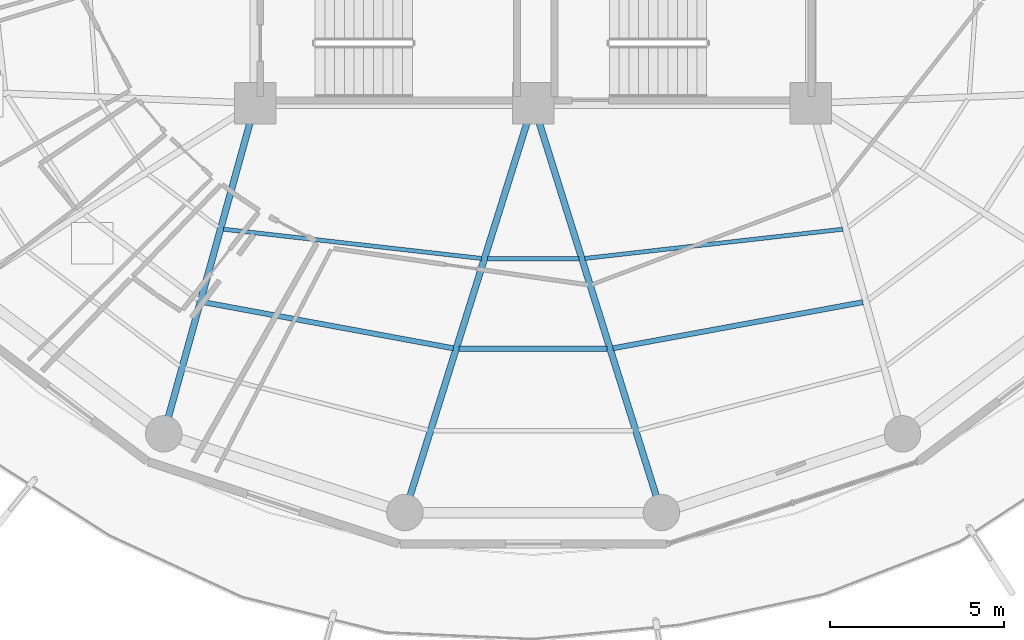
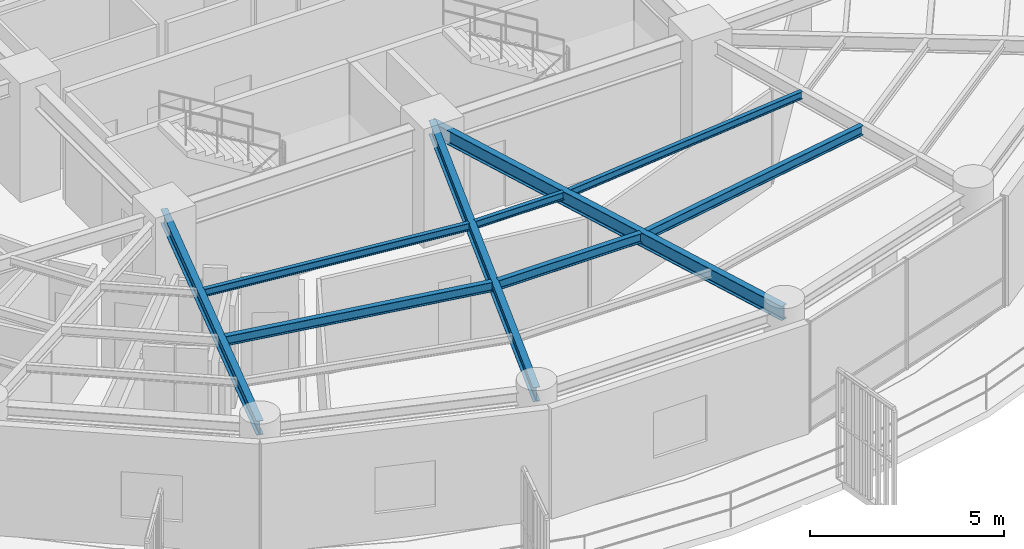
# One storey, part 5 of 31: 9 beams.
"""IFC4 building model written with IfcOpenShell, lengths in metres."""

from ifc_helpers import new_model, si_unit, direction, frame, origin, origin_2d, place, context, subcontext, project, spatial, i_section, extrude, material, material_profile, profile_set, type_object, element, save


model = new_model("IFC4")

# Units and contexts
model_context = context("Model", 3, precision=1e-05, world=origin(), true_north=direction((0.0, 1.0)))
body_context = subcontext(model_context, "Body", "Model", "MODEL_VIEW")
ifc_project = project(units=[si_unit("LENGTHUNIT", "METRE"), si_unit("AREAUNIT", "SQUARE_METRE"), si_unit("VOLUMEUNIT", "CUBIC_METRE"), si_unit("PLANEANGLEUNIT", "RADIAN"), si_unit("MASSUNIT", "GRAM", prefix="KILO")], contexts=[model_context])

# Site, building, storey
site_placement = place(None, origin())
site = spatial("IfcSite", under=ifc_project, at=site_placement, CompositionType="ELEMENT")
building_placement = place(site_placement, origin())
building = spatial("IfcBuilding", under=site, at=building_placement, Name="Kelanora Arch Commons", CompositionType="ELEMENT")
storey_placement = place(building_placement, frame((0.0, 0.0, 196.949951171875)))
storey = spatial("IfcBuildingStorey", under=building, at=storey_placement, Name="L50", CompositionType="ELEMENT", Elevation=196.949951171875)

# Beams
ifc_material = material(Name="Steel S355", Category="steel")
ifc_material_profile_1 = material_profile(ifc_material, i_section(OverallWidth=0.14990234375, OverallDepth=0.300048828125, WebThickness=0.007080078125, FlangeThickness=0.0107421875, FilletRadius=0.014892578125, at=origin_2d()), Name="IPE300")
ifc_profile_set_1 = profile_set([ifc_material_profile_1], Name="Steel S355")
beam_type_1 = type_object("IfcBeamType", Name="BM-JST-01", PredefinedType="JOIST", material=ifc_profile_set_1)
beam_1_placement = place(storey_placement, frame((64.49951171875, 45.270263671875, 3.340087890625), z_axis=(0.983389964671, -0.181505309519, 0.0), x_axis=(0.181505309519, 0.983389964671, 0.0)))
element("IfcBeam", 1, at=beam_1_placement, inside=storey, type_object=beam_type_1, Name="Secondary Chord Joist BJB-24 L50", PredefinedType="JOIST", context=body_context, shape_type="SweptSolid", body=[
    extrude(i_section(OverallWidth=0.14990234375, OverallDepth=0.300048828125, WebThickness=0.007080078125, FlangeThickness=0.0107421875, FilletRadius=0.014892578125, at=origin_2d()), origin(), (0.0, 0.0, 1.0), 7.3212890625),
])
beam_2_placement = place(storey_placement, frame((71.867919921875, 43.92578125, 3.340087890625), z_axis=(1.0, 0.0, 0.0), x_axis=(0.0, 1.0, 0.0)))
element("IfcBeam", 2, at=beam_2_placement, inside=storey, type_object=beam_type_1, Name="Secondary Chord Joist BJB-26 L50", PredefinedType="JOIST", context=body_context, shape_type="SweptSolid", body=[
    extrude(i_section(OverallWidth=0.14990234375, OverallDepth=0.300048828125, WebThickness=0.007080078125, FlangeThickness=0.0107421875, FilletRadius=0.014892578125, at=origin_2d()), origin(), (0.0, 0.0, 1.0), 4.26416015625),
])
beam_3_placement = place(storey_placement, frame((76.30078125, 43.94140625, 3.340087890625), z_axis=(0.983389964671, 0.181505309519, 0.0), x_axis=(-0.181505309519, 0.983389964671, 0.0)))
element("IfcBeam", 3, at=beam_3_placement, inside=storey, type_object=beam_type_1, Name="Secondary Chord Joist BJB-28 L50", PredefinedType="JOIST", context=body_context, shape_type="SweptSolid", body=[
    extrude(i_section(OverallWidth=0.14990234375, OverallDepth=0.300048828125, WebThickness=0.007080078125, FlangeThickness=0.0107421875, FilletRadius=0.014892578125, at=origin_2d()), origin(), (0.0, 0.0, 1.0), 7.3212890625),
])
ifc_material_profile_2 = material_profile(ifc_material, i_section(OverallWidth=0.1201171875, OverallDepth=0.239990234375, WebThickness=0.006103515625, FlangeThickness=0.009765625, FilletRadius=0.014892578125, at=origin_2d()), Name="IPE240")
ifc_profile_set_2 = profile_set([ifc_material_profile_2], Name="Steel S355")
beam_type_2 = type_object("IfcBeamType", Name="BM-JST-02", PredefinedType="JOIST", material=ifc_profile_set_2)
beam_4_placement = place(storey_placement, frame((65.081298828125, 47.371337890625, 3.3701171875), z_axis=(0.993639672263, -0.11260640171, 0.0), x_axis=(0.11260640171, 0.993639672263, 0.0)))
element("IfcBeam", 4, at=beam_4_placement, inside=storey, type_object=beam_type_2, Name="Secondary Chord Joist BJA-24 L50", PredefinedType="JOIST", context=body_context, shape_type="SweptSolid", body=[
    extrude(i_section(OverallWidth=0.1201171875, OverallDepth=0.239990234375, WebThickness=0.006103515625, FlangeThickness=0.009765625, FilletRadius=0.014892578125, at=origin_2d()), origin(), (0.0, 0.0, 1.0), 7.477783203125),
])
beam_5_placement = place(storey_placement, frame((72.680908203125, 46.519775390625, 3.3701171875), z_axis=(1.0, 0.0, 0.0), x_axis=(0.0, 1.0, 0.0)))
element("IfcBeam", 5, at=beam_5_placement, inside=storey, type_object=beam_type_2, Name="Secondary Chord Joist BJA-26 L50", PredefinedType="JOIST", context=body_context, shape_type="SweptSolid", body=[
    extrude(i_section(OverallWidth=0.1201171875, OverallDepth=0.239990234375, WebThickness=0.006103515625, FlangeThickness=0.009765625, FilletRadius=0.014892578125, at=origin_2d()), origin(), (0.0, 0.0, 1.0), 2.63818359375),
])
beam_6_placement = place(storey_placement, frame((75.488525390625, 46.529296875, 3.3701171875), z_axis=(0.993639672263, 0.11260640171, 0.0), x_axis=(-0.11260640171, 0.993639672263, 0.0)))
element("IfcBeam", 6, at=beam_6_placement, inside=storey, type_object=beam_type_2, Name="Secondary Chord Joist BJA-28 L50", PredefinedType="JOIST", context=body_context, shape_type="SweptSolid", body=[
    extrude(i_section(OverallWidth=0.1201171875, OverallDepth=0.239990234375, WebThickness=0.006103515625, FlangeThickness=0.009765625, FilletRadius=0.014892578125, at=origin_2d()), origin(), (0.0, 0.0, 1.0), 7.477783203125),
])
ifc_material_profile_3 = material_profile(ifc_material, i_section(OverallWidth=0.18994140625, OverallDepth=0.449951171875, WebThickness=0.009521484375, FlangeThickness=0.0146484375, FilletRadius=0.02099609375, at=origin_2d()), Name="IPE450")
ifc_profile_set_3 = profile_set([ifc_material_profile_3], Name="Steel S355")
beam_type_3 = type_object("IfcBeamType", Name="BM-RAD-Z4", PredefinedType="BEAM", material=ifc_profile_set_3)
beam_7_placement = place(storey_placement, frame((66.0, 51.0, 3.26513671875), z_axis=(-0.267120164296, -0.963663228429, 0.0), x_axis=(0.963663228429, -0.267120164296, 0.0)))
element("IfcBeam", 7, at=beam_7_placement, inside=storey, type_object=beam_type_3, Name="Radial Floor Girder BR-24 L50", PredefinedType="BEAM", context=body_context, shape_type="SweptSolid", body=[
    extrude(i_section(OverallWidth=0.18994140625, OverallDepth=0.449951171875, WebThickness=0.009521484375, FlangeThickness=0.0146484375, FilletRadius=0.02099609375, at=origin_2d()), origin(), (0.0, 0.0, 1.0), 9.8828125),
])
for number, where, z_axis, x_axis, name in (
    (8, (74.0, 51.0, 3.26513671875), (-0.299080457492, -0.954227897279, 0.0), (0.954227897279, -0.299080457492, 0.0), "Radial Floor Girder BR-26 L50"),
    (9, (74.0, 51.0, 3.26513671875), (0.299080457492, -0.954227897279, 0.0), (0.954227897279, 0.299080457492, 0.0), "Radial Floor Girder BR-28 L50"),
):
    element("IfcBeam", number, at=place(storey_placement, frame(where, z_axis=z_axis, x_axis=x_axis)), inside=storey, type_object=beam_type_3, Name=name, PredefinedType="BEAM", context=body_context, shape_type="SweptSolid", body=[
        extrude(i_section(OverallWidth=0.18994140625, OverallDepth=0.449951171875, WebThickness=0.009521484375, FlangeThickness=0.0146484375, FilletRadius=0.02099609375, at=origin_2d()), origin(), (0.0, 0.0, 1.0), 12.35546875),
    ])

save(model, "model.ifc")
